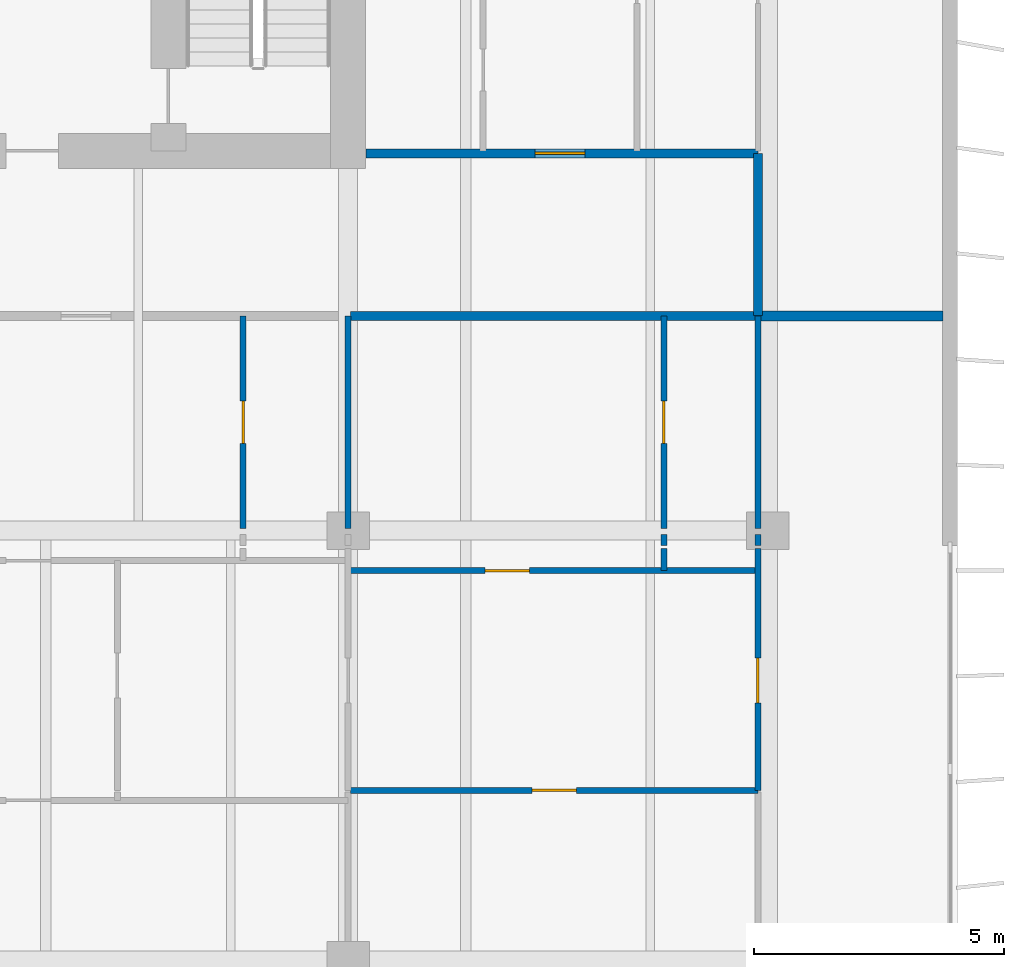
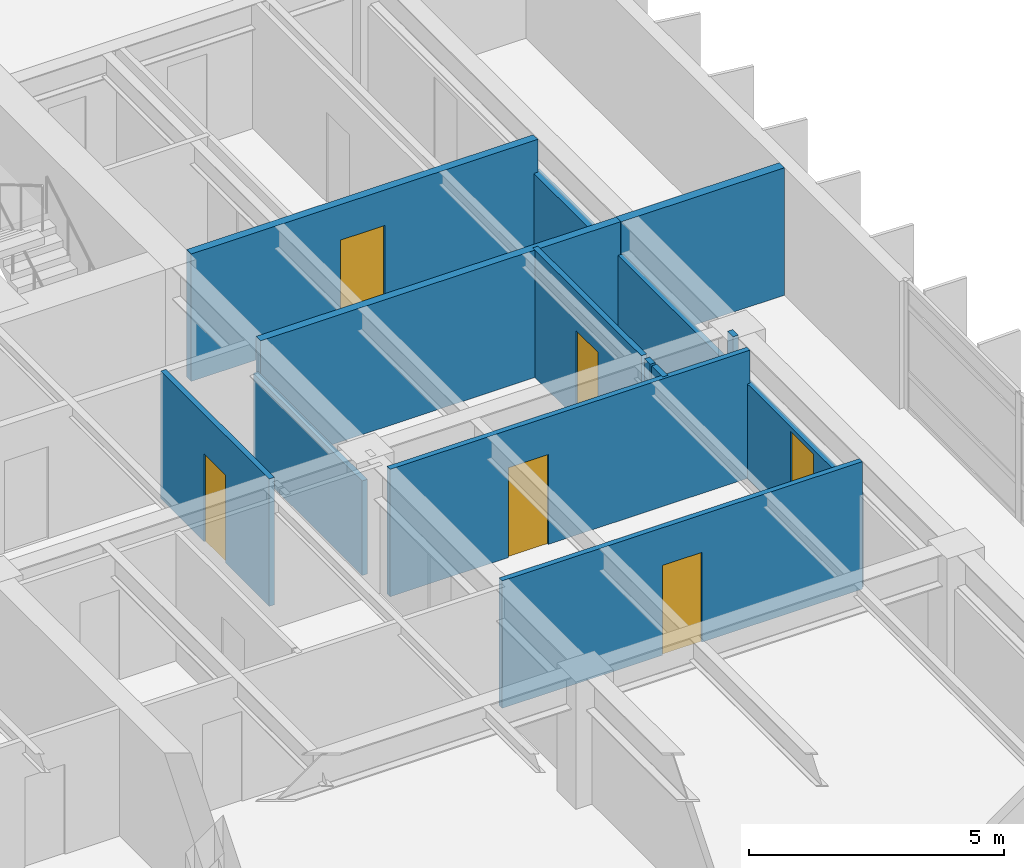
# One storey, part 12 of 19: 14 walls, 6 doors, 6 openings.
"""IFC4 building model written with IfcOpenShell, lengths in metres."""

from ifc_helpers import new_model, si_unit, direction, frame, frame_2d, origin, place, context, subcontext, project, spatial, rectangle, extrude, material, layer, layer_set, type_object, element, fill, save


model = new_model("IFC4")

# Units and contexts
model_context = context("Model", 3, precision=1e-05, world=origin(), true_north=direction((0.0, 1.0)))
body_context = subcontext(model_context, "Body", "Model", "MODEL_VIEW")
ifc_project = project(units=[si_unit("LENGTHUNIT", "METRE"), si_unit("AREAUNIT", "SQUARE_METRE"), si_unit("VOLUMEUNIT", "CUBIC_METRE"), si_unit("PLANEANGLEUNIT", "RADIAN"), si_unit("MASSUNIT", "GRAM", prefix="KILO")], contexts=[model_context])

# Site, building, storey
site_placement = place(None, origin())
site = spatial("IfcSite", under=ifc_project, at=site_placement, CompositionType="ELEMENT")
building_placement = place(site_placement, origin())
building = spatial("IfcBuilding", under=site, at=building_placement, Name="Caelmar Bay Residences", CompositionType="ELEMENT")
storey_placement = place(building_placement, frame((0.0, 0.0, 167.10009765625)))
storey = spatial("IfcBuildingStorey", under=building, at=storey_placement, Name="L46", CompositionType="ELEMENT", Elevation=167.10009765625)

# Walls
ifc_material_1 = material(Name="Double-stud acoustic fire-rated gypsum partition 180 mm")
ifc_layer_1 = layer(ifc_material_1, 0.179931640625)
ifc_layer_set_1 = layer_set([ifc_layer_1], Name="Double-stud acoustic fire-rated gypsum partition 180 mm")
wall_type_1 = type_object("IfcWallType", Name="W-COR-200", PredefinedType="PARTITIONING", material=ifc_layer_set_1)
wall_1_placement = place(storey_placement, frame((67.699951171875, 33.705078125, 0.0), z_axis=(0.0, 0.0, 1.0), x_axis=(0.0, 1.0, 0.0)))
element("IfcWall", 1, at=wall_1_placement, inside=storey, type_object=wall_type_1, Name="L46 Partition Wall V089", PredefinedType="PARTITIONING", context=body_context, shape_type="SweptSolid", body=[
    extrude(rectangle(XDim=3.244873046875, YDim=0.179931640625, at=frame_2d((1.62255859375, 0.0))), origin(), (0.0, 0.0, 1.0), 2.262939453125),
])
wall_2_placement = place(storey_placement, frame((59.550048828125, 33.699951171875, 0.0), z_axis=(0.0, 0.0, 1.0), x_axis=(1.0, 0.0, 0.0)))
element("IfcWall", 2, at=wall_2_placement, inside=storey, type_object=wall_type_1, Name="L46 Partition Wall H118", PredefinedType="PARTITIONING", context=body_context, shape_type="SweptSolid", body=[
    extrude(rectangle(XDim=8.14990234375, YDim=0.179931640625, at=frame_2d((4.074951171875, 0.0))), origin(), (0.0, 0.0, 1.0), 3.0498046875),
])

# Wall, opening, door
wall_3_placement = place(storey_placement, frame((59.85498046875, 36.949951171875, 0.0), z_axis=(0.0, 0.0, 1.0), x_axis=(1.0, 0.0, 0.0)))
wall_3 = element("IfcWall", 3, at=wall_3_placement, inside=storey, type_object=wall_type_1, Name="L46 Partition Wall H121", PredefinedType="PARTITIONING", context=body_context, shape_type="SweptSolid", body=[
    extrude(rectangle(XDim=7.844970703125, YDim=0.179931640625, at=frame_2d((3.92236328125, 0.0))), origin(), (0.0, 0.0, 1.0), 3.0498046875),
])
opening_1_placement = place(wall_3_placement, frame((3.385009765625, 0.0, 0.0)))
opening_1 = element("IfcOpeningElement", 4, at=opening_1_placement, cuts=wall_3, Name="Opening D-L46-173", PredefinedType="OPENING", context=body_context, shape_type="SweptSolid", body=[
    extrude(rectangle(XDim=1.0, YDim=2.199951171875, at=frame_2d((0.5, 1.10009765625))), frame((0.0, 0.099853515625, 0.0), z_axis=(0.0, -1.0, 0.0), x_axis=(1.0, 0.0, 0.0)), (0.0, 0.0, 1.0), 0.199951171875),
])
ifc_material_2 = material(Name="Fire-rated steel and walnut architectural door assembly", Category="steel")
ifc_layer_2 = layer(ifc_material_2, 0.050048828125)
ifc_layer_set_2 = layer_set([ifc_layer_2], Name="Fire-rated steel and walnut architectural door assembly")
door_type_1 = type_object("IfcDoorType", Name="D-UNIT-1000", OperationType="NOTDEFINED", PredefinedType="DOOR", material=ifc_layer_set_2)
door_1_placement = place(opening_1_placement, origin())
door_1 = element("IfcDoor", 5, at=door_1_placement, inside=storey, type_object=door_type_1, Name="L46 Residence EA Kitchen Door", OperationType="SINGLE_SWING_RIGHT", OverallHeight=2.199951171875, OverallWidth=1.0, PredefinedType="DOOR", context=body_context, shape_type="SweptSolid", body=[
    extrude(rectangle(XDim=1.0, YDim=2.199951171875, at=frame_2d((0.5, 1.10009765625))), frame((0.0, 0.02490234375, 0.0), z_axis=(0.0, -1.0, 0.0), x_axis=(1.0, 0.0, 0.0)), (0.0, 0.0, 1.0), 0.050048828125),
])
fill(opening_1, door_1)

ifc_material_3 = material(Name="Acoustic metal-stud gypsum partition 120 mm")
ifc_layer_3 = layer(ifc_material_3, 0.1201171875)
ifc_layer_set_3 = layer_set([ifc_layer_3], Name="Acoustic metal-stud gypsum partition 120 mm")
wall_type_2 = type_object("IfcWallType", Name="W-PRT-120", PredefinedType="PARTITIONING", material=ifc_layer_set_3)
wall_4_placement = place(storey_placement, frame((57.39794921875, 29.43994140625, 0.0), z_axis=(0.0, 0.0, 1.0), x_axis=(0.0, 1.0, 0.0)))
wall_4 = element("IfcWall", 6, at=wall_4_placement, inside=storey, type_object=wall_type_2, Name="L46 Partition Wall V074", PredefinedType="PARTITIONING", context=body_context, shape_type="SweptSolid", body=[
    extrude(rectangle(XDim=4.260009765625, YDim=0.1201171875, at=frame_2d((2.1298828125, 0.0))), origin(), (0.0, 0.0, 1.0), 3.0498046875),
])
opening_2_placement = place(wall_4_placement, frame((1.705078125, 0.0, 0.0)))
opening_2 = element("IfcOpeningElement", 7, at=opening_2_placement, cuts=wall_4, Name="Opening D-L46-154", PredefinedType="OPENING", context=body_context, shape_type="SweptSolid", body=[
    extrude(rectangle(XDim=0.85009765625, YDim=2.10009765625, at=frame_2d((0.425048828125, 1.050048828125))), frame((0.0, 0.070068359375, 0.0), z_axis=(0.0, -1.0, 0.0), x_axis=(1.0, 0.0, 0.0)), (0.0, 0.0, 1.0), 0.14013671875),
])
ifc_material_4 = material(Name="Solid walnut timber interior door leaf and frame", Category="wood")
ifc_layer_4 = layer(ifc_material_4, 0.050048828125)
ifc_layer_set_4 = layer_set([ifc_layer_4], Name="Solid walnut timber interior door leaf and frame")
door_type_2 = type_object("IfcDoorType", Name="D-BATH-850", OperationType="NOTDEFINED", PredefinedType="DOOR", material=ifc_layer_set_4)
door_2_placement = place(opening_2_placement, origin())
door_2 = element("IfcDoor", 8, at=door_2_placement, inside=storey, type_object=door_type_2, Name="L46 Residence 05 Guest Bathroom Door", OperationType="SINGLE_SWING_LEFT", OverallHeight=2.10009765625, OverallWidth=0.85009765625, PredefinedType="DOOR", context=body_context, shape_type="SweptSolid", body=[
    extrude(rectangle(XDim=0.85009765625, YDim=2.10009765625, at=frame_2d((0.425048828125, 1.050048828125))), frame((0.0, 0.02490234375, 0.0), z_axis=(0.0, -1.0, 0.0), x_axis=(1.0, 0.0, 0.0)), (0.0, 0.0, 1.0), 0.050048828125),
])
fill(opening_2, door_2)

# Walls
wall_5_placement = place(storey_placement, frame((59.5, 29.43994140625, 0.0), z_axis=(0.0, 0.0, 1.0), x_axis=(0.0, 1.0, 0.0)))
element("IfcWall", 9, at=wall_5_placement, inside=storey, type_object=wall_type_2, Name="L46 Partition Wall V079", PredefinedType="PARTITIONING", context=body_context, shape_type="SweptSolid", body=[
    extrude(rectangle(XDim=4.260009765625, YDim=0.1201171875, at=frame_2d((2.1298828125, 0.0))), origin(), (0.0, 0.0, 1.0), 2.262939453125),
])
wall_6_placement = place(storey_placement, frame((65.818115234375, 28.60009765625, 0.0), z_axis=(0.0, 0.0, 1.0), x_axis=(0.0, 1.0, 0.0)))
element("IfcWall", 10, at=wall_6_placement, inside=storey, type_object=wall_type_2, Name="L46 Partition Wall V082", PredefinedType="PARTITIONING", context=body_context, shape_type="SweptSolid", body=[
    extrude(rectangle(XDim=0.43994140625, YDim=0.1201171875, at=frame_2d((0.219970703125, 0.0))), origin(), (0.0, 0.0, 1.0), 3.0498046875),
])
wall_7_placement = place(storey_placement, frame((65.818115234375, 29.10009765625, 0.0), z_axis=(0.0, 0.0, 1.0), x_axis=(0.0, 1.0, 0.0)))
element("IfcWall", 11, at=wall_7_placement, inside=storey, type_object=wall_type_2, Name="L46 Partition Wall V083", PredefinedType="PARTITIONING", context=body_context, shape_type="SweptSolid", body=[
    extrude(rectangle(XDim=0.219970703125, YDim=0.1201171875, at=frame_2d((0.10986328125, 0.0))), origin(), (0.0, 0.0, 1.0), 3.0498046875),
])

# Wall, opening, door
wall_8_placement = place(storey_placement, frame((65.818115234375, 29.43994140625, 0.0), z_axis=(0.0, 0.0, 1.0), x_axis=(0.0, 1.0, 0.0)))
wall_8 = element("IfcWall", 12, at=wall_8_placement, inside=storey, type_object=wall_type_2, Name="L46 Partition Wall V084", PredefinedType="PARTITIONING", context=body_context, shape_type="SweptSolid", body=[
    extrude(rectangle(XDim=4.260009765625, YDim=0.1201171875, at=frame_2d((2.1298828125, 0.0))), origin(), (0.0, 0.0, 1.0), 3.0498046875),
])
opening_3_placement = place(wall_8_placement, frame((1.705078125, 0.0, 0.0)))
opening_3 = element("IfcOpeningElement", 13, at=opening_3_placement, cuts=wall_8, Name="Opening D-L46-160", PredefinedType="OPENING", context=body_context, shape_type="SweptSolid", body=[
    extrude(rectangle(XDim=0.85009765625, YDim=2.10009765625, at=frame_2d((0.425048828125, 1.050048828125))), frame((0.0, 0.070068359375, 0.0), z_axis=(0.0, -1.0, 0.0), x_axis=(1.0, 0.0, 0.0)), (0.0, 0.0, 1.0), 0.14013671875),
])
door_3_placement = place(opening_3_placement, origin())
door_3 = element("IfcDoor", 14, at=door_3_placement, inside=storey, type_object=door_type_2, Name="L46 Residence 05 En-Suite Bathroom 1 Door", OperationType="SINGLE_SWING_LEFT", OverallHeight=2.10009765625, OverallWidth=0.85009765625, PredefinedType="DOOR", context=body_context, shape_type="SweptSolid", body=[
    extrude(rectangle(XDim=0.85009765625, YDim=2.10009765625, at=frame_2d((0.425048828125, 1.050048828125))), frame((0.0, 0.02490234375, 0.0), z_axis=(0.0, -1.0, 0.0), x_axis=(1.0, 0.0, 0.0)), (0.0, 0.0, 1.0), 0.050048828125),
])
fill(opening_3, door_3)

wall_9_placement = place(storey_placement, frame((67.699951171875, 24.199951171875, 0.0), z_axis=(0.0, 0.0, 1.0), x_axis=(0.0, 1.0, 0.0)))
wall_9 = element("IfcWall", 15, at=wall_9_placement, inside=storey, type_object=wall_type_2, Name="L46 Partition Wall V086", PredefinedType="PARTITIONING", context=body_context, shape_type="SweptSolid", body=[
    extrude(rectangle(XDim=4.840087890625, YDim=0.1201171875, at=frame_2d((2.419921875, 0.0))), origin(), (0.0, 0.0, 1.0), 2.262939453125),
])
opening_4_placement = place(wall_9_placement, frame((1.75, 0.0, 0.0)))
opening_4 = element("IfcOpeningElement", 16, at=opening_4_placement, cuts=wall_9, Name="Opening D-L46-164", PredefinedType="OPENING", context=body_context, shape_type="SweptSolid", body=[
    extrude(rectangle(XDim=0.89990234375, YDim=2.14990234375, at=frame_2d((0.449951171875, 1.074951171875))), frame((0.0, 0.070068359375, 0.0), z_axis=(0.0, -1.0, 0.0), x_axis=(1.0, 0.0, 0.0)), (0.0, 0.0, 1.0), 0.14013671875),
])
ifc_layer_5 = layer(ifc_material_4, 0.050048828125)
ifc_layer_set_5 = layer_set([ifc_layer_5], Name="Solid walnut timber interior door leaf and frame")
door_type_3 = type_object("IfcDoorType", Name="D-ROOM-900", OperationType="NOTDEFINED", PredefinedType="DOOR", material=ifc_layer_set_5)
door_4_placement = place(opening_4_placement, origin())
door_4 = element("IfcDoor", 17, at=door_4_placement, inside=storey, type_object=door_type_3, Name="L46 Residence 05 Penthouse East Salon Door", OperationType="SINGLE_SWING_LEFT", OverallHeight=2.14990234375, OverallWidth=0.89990234375, PredefinedType="DOOR", context=body_context, shape_type="SweptSolid", body=[
    extrude(rectangle(XDim=0.89990234375, YDim=2.14990234375, at=frame_2d((0.449951171875, 1.074951171875))), frame((0.0, 0.02490234375, 0.0), z_axis=(0.0, -1.0, 0.0), x_axis=(1.0, 0.0, 0.0)), (0.0, 0.0, 1.0), 0.050048828125),
])
fill(opening_4, door_4)

# Walls
wall_10_placement = place(storey_placement, frame((67.699951171875, 29.10009765625, 0.0), z_axis=(0.0, 0.0, 1.0), x_axis=(0.0, 1.0, 0.0)))
element("IfcWall", 18, at=wall_10_placement, inside=storey, type_object=wall_type_2, Name="L46 Partition Wall V087", PredefinedType="PARTITIONING", context=body_context, shape_type="SweptSolid", body=[
    extrude(rectangle(XDim=0.219970703125, YDim=0.1201171875, at=frame_2d((0.10986328125, 0.0))), origin(), (0.0, 0.0, 1.0), 3.0498046875),
])
wall_11_placement = place(storey_placement, frame((67.699951171875, 29.43994140625, 0.0), z_axis=(0.0, 0.0, 1.0), x_axis=(0.0, 1.0, 0.0)))
element("IfcWall", 19, at=wall_11_placement, inside=storey, type_object=wall_type_2, Name="L46 Partition Wall V088", PredefinedType="PARTITIONING", context=body_context, shape_type="SweptSolid", body=[
    extrude(rectangle(XDim=4.260009765625, YDim=0.1201171875, at=frame_2d((2.1298828125, 0.0))), origin(), (0.0, 0.0, 1.0), 2.262939453125),
])

# Wall, opening, door
wall_12_placement = place(storey_placement, frame((59.550048828125, 24.199951171875, 0.0), z_axis=(0.0, 0.0, 1.0), x_axis=(1.0, 0.0, 0.0)))
wall_12 = element("IfcWall", 20, at=wall_12_placement, inside=storey, type_object=wall_type_2, Name="L46 Partition Wall H102", PredefinedType="PARTITIONING", context=body_context, shape_type="SweptSolid", body=[
    extrude(rectangle(XDim=8.14990234375, YDim=0.1201171875, at=frame_2d((4.074951171875, 0.0))), origin(), (0.0, 0.0, 1.0), 3.0498046875),
])
opening_5_placement = place(wall_12_placement, frame((3.625, 0.0, 0.0)))
opening_5 = element("IfcOpeningElement", 21, at=opening_5_placement, cuts=wall_12, Name="Opening D-L46-161", PredefinedType="OPENING", context=body_context, shape_type="SweptSolid", body=[
    extrude(rectangle(XDim=0.89990234375, YDim=2.14990234375, at=frame_2d((0.449951171875, 1.074951171875))), frame((0.0, 0.070068359375, 0.0), z_axis=(0.0, -1.0, 0.0), x_axis=(1.0, 0.0, 0.0)), (0.0, 0.0, 1.0), 0.14013671875),
])
door_5_placement = place(opening_5_placement, origin())
door_5 = element("IfcDoor", 22, at=door_5_placement, inside=storey, type_object=door_type_3, Name="L46 Residence 05 Penthouse Sitting Salon 1 Door", OperationType="SINGLE_SWING_RIGHT", OverallHeight=2.14990234375, OverallWidth=0.89990234375, PredefinedType="DOOR", context=body_context, shape_type="SweptSolid", body=[
    extrude(rectangle(XDim=0.89990234375, YDim=2.14990234375, at=frame_2d((0.449951171875, 1.074951171875))), frame((0.0, 0.02490234375, 0.0), z_axis=(0.0, -1.0, 0.0), x_axis=(1.0, 0.0, 0.0)), (0.0, 0.0, 1.0), 0.050048828125),
])
fill(opening_5, door_5)

wall_13_placement = place(storey_placement, frame((59.550048828125, 28.60009765625, 0.0), z_axis=(0.0, 0.0, 1.0), x_axis=(1.0, 0.0, 0.0)))
wall_13 = element("IfcWall", 23, at=wall_13_placement, inside=storey, type_object=wall_type_2, Name="L46 Partition Wall H106", PredefinedType="PARTITIONING", context=body_context, shape_type="SweptSolid", body=[
    extrude(rectangle(XDim=8.14990234375, YDim=0.1201171875, at=frame_2d((4.074951171875, 0.0))), origin(), (0.0, 0.0, 1.0), 3.0498046875),
])
opening_6_placement = place(wall_13_placement, frame((2.68408203125, 0.0, 0.0)))
opening_6 = element("IfcOpeningElement", 24, at=opening_6_placement, cuts=wall_13, Name="Opening D-L46-159", PredefinedType="OPENING", context=body_context, shape_type="SweptSolid", body=[
    extrude(rectangle(XDim=0.89990234375, YDim=2.14990234375, at=frame_2d((0.449951171875, 1.074951171875))), frame((0.0, 0.070068359375, 0.0), z_axis=(0.0, -1.0, 0.0), x_axis=(1.0, 0.0, 0.0)), (0.0, 0.0, 1.0), 0.14013671875),
])
door_6_placement = place(opening_6_placement, origin())
door_6 = element("IfcDoor", 25, at=door_6_placement, inside=storey, type_object=door_type_3, Name="L46 Residence 05 Home Office 1 Door", OperationType="SINGLE_SWING_RIGHT", OverallHeight=2.14990234375, OverallWidth=0.89990234375, PredefinedType="DOOR", context=body_context, shape_type="SweptSolid", body=[
    extrude(rectangle(XDim=0.89990234375, YDim=2.14990234375, at=frame_2d((0.449951171875, 1.074951171875))), frame((0.0, 0.02490234375, 0.0), z_axis=(0.0, -1.0, 0.0), x_axis=(1.0, 0.0, 0.0)), (0.0, 0.0, 1.0), 0.050048828125),
])
fill(opening_6, door_6)

# Wall
ifc_material_5 = material(Name="Acoustic twin-stud fire-rated inter-tenancy partition 200 mm")
ifc_layer_6 = layer(ifc_material_5, 0.199951171875)
ifc_layer_set_6 = layer_set([ifc_layer_6], Name="Acoustic twin-stud fire-rated inter-tenancy partition 200 mm")
wall_type_3 = type_object("IfcWallType", Name="W-PTY-200", PredefinedType="PARTITIONING", material=ifc_layer_set_6)
wall_14_placement = place(storey_placement, frame((67.705078125, 33.699951171875, 0.0), z_axis=(0.0, 0.0, 1.0), x_axis=(1.0, 0.0, 0.0)))
element("IfcWall", 26, at=wall_14_placement, inside=storey, type_object=wall_type_3, Name="L46 Partition Wall H119", PredefinedType="PARTITIONING", context=body_context, shape_type="SweptSolid", body=[
    extrude(rectangle(XDim=3.699951171875, YDim=0.199951171875, at=frame_2d((1.85009765625, 0.0))), origin(), (0.0, 0.0, 1.0), 3.0498046875),
])

save(model, "model.ifc")
